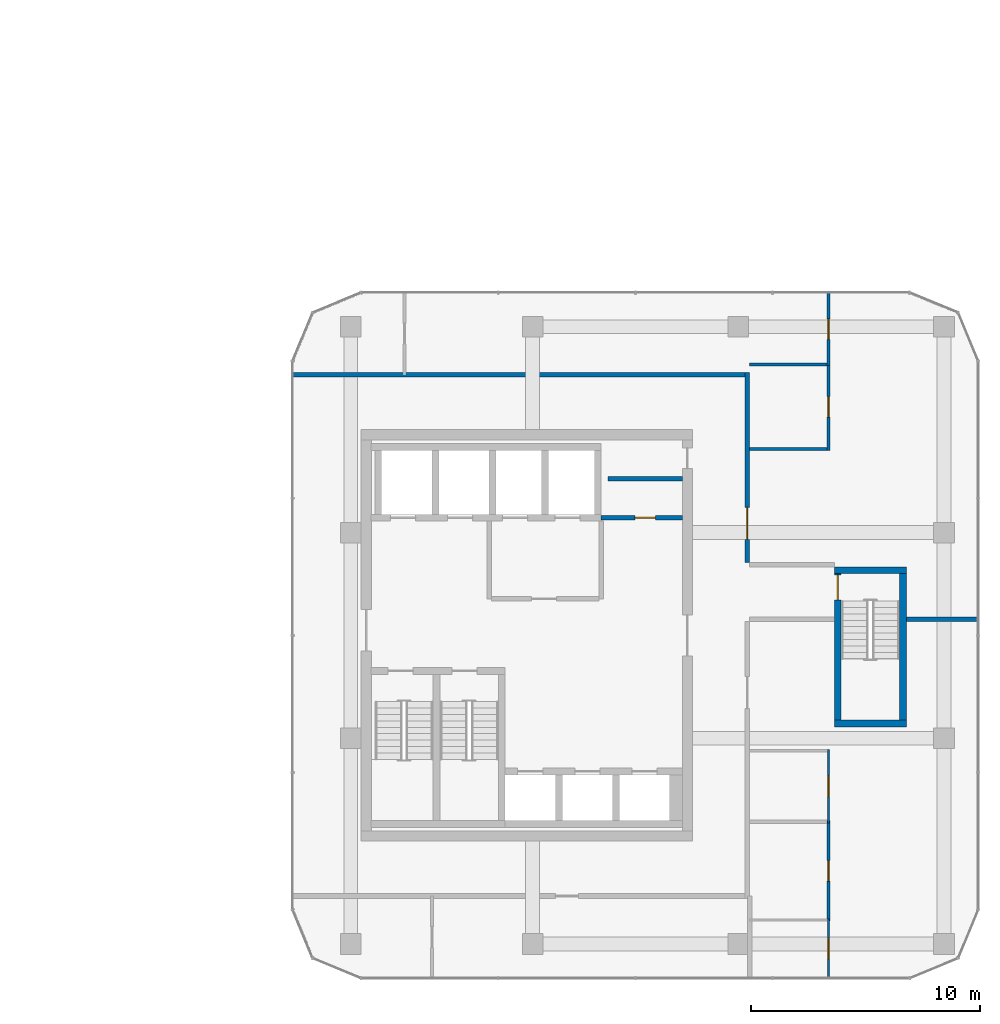
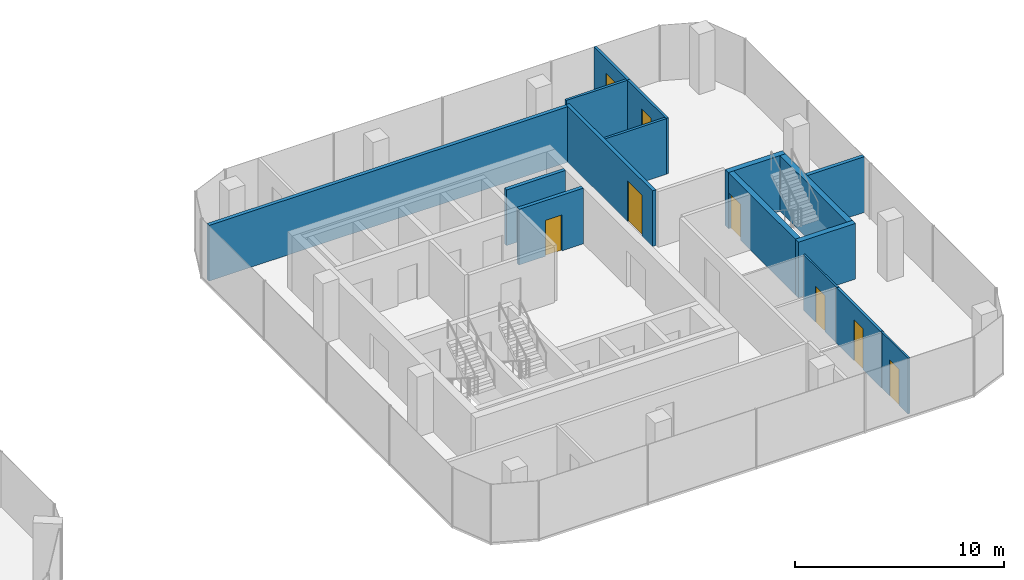
# One storey, part 19 of 23: 16 walls, 8 doors, 8 openings.
"""IFC4 building model written with IfcOpenShell, lengths in metres."""

from ifc_helpers import new_model, si_unit, direction, frame, frame_2d, origin, place, context, subcontext, project, spatial, rectangle, extrude, material, layer, layer_set, type_object, element, fill, save


model = new_model("IFC4")

# Units and contexts
model_context = context("Model", 3, precision=1e-05, world=origin(), true_north=direction((0.0, 1.0)))
body_context = subcontext(model_context, "Body", "Model", "MODEL_VIEW")
ifc_project = project(units=[si_unit("LENGTHUNIT", "METRE"), si_unit("AREAUNIT", "SQUARE_METRE"), si_unit("VOLUMEUNIT", "CUBIC_METRE"), si_unit("PLANEANGLEUNIT", "RADIAN"), si_unit("MASSUNIT", "GRAM", prefix="KILO")], contexts=[model_context])

# Site, building, storey
site_placement = place(None, origin())
site = spatial("IfcSite", under=ifc_project, at=site_placement, CompositionType="ELEMENT")
building_placement = place(site_placement, origin())
building = spatial("IfcBuilding", under=site, at=building_placement, Name="Plateau Cross Towers", CompositionType="ELEMENT")
storey_placement = place(building_placement, frame((0.0, 0.0, 81.800048828125)))
storey = spatial("IfcBuildingStorey", under=building, at=storey_placement, Name="L20", CompositionType="ELEMENT", Elevation=81.800048828125)

# Wall, opening, door
ifc_material_1 = material(Name="Concrete block, plastered both sides", Category="concrete")
ifc_layer_1 = layer(ifc_material_1, 0.199951171875)
ifc_layer_set_1 = layer_set([ifc_layer_1], Name="Concrete block, plastered both sides")
wall_type_1 = type_object("IfcWallType", Name="Core partition 200", PredefinedType="PARTITIONING", material=ifc_layer_set_1)
wall_1_placement = place(storey_placement, frame((85.5, 14.14990234375, 0.0), z_axis=(0.0, 0.0, 1.0), x_axis=(1.0, 0.0, 0.0)))
wall_1 = element("IfcWall", 1, at=wall_1_placement, inside=storey, type_object=wall_type_1, Name="Core partition", PredefinedType="PARTITIONING", context=body_context, shape_type="SweptSolid", body=[
    extrude(rectangle(XDim=3.550048828125, YDim=0.199951171875, at=frame_2d((1.77490234375, 0.0))), origin(), (0.0, 0.0, 1.0), 3.25),
])
opening_1_placement = place(wall_1_placement, frame((1.47509765625, 0.0, 0.0)))
opening_1 = element("IfcOpeningElement", 2, at=opening_1_placement, cuts=wall_1, Name="Opening RD2", PredefinedType="OPENING", context=body_context, shape_type="SweptSolid", body=[
    extrude(rectangle(XDim=0.89990234375, YDim=2.10009765625, at=frame_2d((0.449951171875, 1.050048828125))), frame((0.0, 0.10986328125, 0.0), z_axis=(0.0, -1.0, 0.0), x_axis=(1.0, 0.0, 0.0)), (0.0, 0.0, 1.0), 0.219970703125),
])
ifc_material_2 = material(Name="Steel, fire-resisting leaf", Category="steel")
door_type_1 = type_object("IfcDoorType", Name="Core riser door 900", OperationType="NOTDEFINED", PredefinedType="DOOR", material=ifc_material_2)
door_1_placement = place(opening_1_placement, origin())
door_1 = element("IfcDoor", 3, at=door_1_placement, inside=storey, type_object=door_type_1, Name="Core riser door RD2", OperationType="SINGLE_SWING_LEFT", OverallHeight=2.10009765625, OverallWidth=0.89990234375, PredefinedType="DOOR", context=body_context, shape_type="SweptSolid", body=[
    extrude(rectangle(XDim=0.89990234375, YDim=2.10009765625, at=frame_2d((0.449951171875, 1.050048828125))), frame((0.0, 0.02490234375, 0.0), z_axis=(0.0, -1.0, 0.0), x_axis=(1.0, 0.0, 0.0)), (0.0, 0.0, 1.0), 0.050048828125),
])
fill(opening_1, door_1)

# Wall
wall_2_placement = place(storey_placement, frame((85.800048828125, 15.85009765625, 0.0), z_axis=(0.0, 0.0, 1.0), x_axis=(1.0, 0.0, 0.0)))
element("IfcWall", 4, at=wall_2_placement, inside=storey, type_object=wall_type_1, Name="Core partition", PredefinedType="PARTITIONING", context=body_context, shape_type="SweptSolid", body=[
    extrude(rectangle(XDim=3.25, YDim=0.199951171875, at=frame_2d((1.625, 0.0))), origin(), (0.0, 0.0, 1.0), 3.25),
])

# Wall, opening, door
ifc_material_3 = material(Name="Concrete C60/75", Category="concrete")
ifc_layer_2 = layer(ifc_material_3, 0.300048828125)
ifc_layer_set_2 = layer_set([ifc_layer_2], Name="Concrete C60/75")
wall_type_2 = type_object("IfcWallType", Name="Core shaft wall 300", PredefinedType="SHEAR", material=ifc_layer_set_2)
wall_3_placement = place(storey_placement, frame((95.85009765625, 5.300048828125, 0.0), z_axis=(0.0, 0.0, 1.0), x_axis=(0.0, 1.0, 0.0)))
wall_3 = element("IfcWall", 5, at=wall_3_placement, inside=storey, type_object=wall_type_2, Name="B-sb3-W@L20", PredefinedType="SHEAR", context=body_context, shape_type="SweptSolid", body=[
    extrude(rectangle(XDim=6.39990234375, YDim=0.300048828125, at=frame_2d((3.199951171875, 0.0))), origin(), (0.0, 0.0, 1.0), 3.25),
])
opening_2_placement = place(wall_3_placement, frame((5.25, 0.0, 0.0)))
opening_2 = element("IfcOpeningElement", 6, at=opening_2_placement, cuts=wall_3, Name="Opening SD", PredefinedType="OPENING", context=body_context, shape_type="SweptSolid", body=[
    extrude(rectangle(XDim=1.10009765625, YDim=2.10009765625, at=frame_2d((0.550048828125, 1.050048828125))), frame((0.0, 0.159912109375, 0.0), z_axis=(0.0, -1.0, 0.0), x_axis=(1.0, 0.0, 0.0)), (0.0, 0.0, 1.0), 0.320068359375),
])
door_type_2 = type_object("IfcDoorType", Name="Stair door 1100", OperationType="NOTDEFINED", PredefinedType="DOOR", material=ifc_material_2)
door_2_placement = place(opening_2_placement, origin())
door_2 = element("IfcDoor", 7, at=door_2_placement, inside=storey, type_object=door_type_2, Name="Stair door SD", OperationType="SINGLE_SWING_LEFT", OverallHeight=2.10009765625, OverallWidth=1.10009765625, PredefinedType="DOOR", context=body_context, shape_type="SweptSolid", body=[
    extrude(rectangle(XDim=1.10009765625, YDim=2.10009765625, at=frame_2d((0.550048828125, 1.050048828125))), frame((0.0, 0.02490234375, 0.0), z_axis=(0.0, -1.0, 0.0), x_axis=(1.0, 0.0, 0.0)), (0.0, 0.0, 1.0), 0.050048828125),
])
fill(opening_2, door_2)

# Walls
wall_4_placement = place(storey_placement, frame((98.699951171875, 5.300048828125, 0.0), z_axis=(0.0, 0.0, 1.0), x_axis=(0.0, 1.0, 0.0)))
element("IfcWall", 8, at=wall_4_placement, inside=storey, type_object=wall_type_2, Name="B-sb3-E@L20", PredefinedType="SHEAR", context=body_context, shape_type="SweptSolid", body=[
    extrude(rectangle(XDim=6.39990234375, YDim=0.300048828125, at=frame_2d((3.199951171875, 0.0))), origin(), (0.0, 0.0, 1.0), 3.25),
])
for number, where, z_axis, x_axis, name in (
    (9, (95.699951171875, 5.14990234375, 0.0), (0.0, 0.0, 1.0), (1.0, 0.0, 0.0), "B-sb3-S@L20"),
    (10, (95.699951171875, 11.85009765625, 0.0), (0.0, 0.0, 1.0), (1.0, 0.0, 0.0), "B-sb3-N@L20"),
):
    element("IfcWall", number, at=place(storey_placement, frame(where, z_axis=z_axis, x_axis=x_axis)), inside=storey, type_object=wall_type_2, Name=name, PredefinedType="SHEAR", context=body_context, shape_type="SweptSolid", body=[
        extrude(rectangle(XDim=3.150146484375, YDim=0.300048828125, at=frame_2d((1.5751953125, 0.0))), origin(), (0.0, 0.0, 1.0), 3.25),
    ])
ifc_material_4 = material(Name="Gypsum board on steel studs, two layers each side", Category="steel")
ifc_layer_3 = layer(ifc_material_4, 0.199951171875)
ifc_layer_set_3 = layer_set([ifc_layer_3], Name="Gypsum board on steel studs, two layers each side")
wall_type_3 = type_object("IfcWallType", Name="Corridor wall 200", PredefinedType="PARTITIONING", material=ifc_layer_set_3)
wall_5_placement = place(storey_placement, frame((72.0, 20.39990234375, 0.0), z_axis=(0.0, 0.0, 1.0), x_axis=(1.0, 0.0, 0.0)))
element("IfcWall", 11, at=wall_5_placement, inside=storey, type_object=wall_type_3, Name="Ring wall", PredefinedType="PARTITIONING", context=body_context, shape_type="SweptSolid", body=[
    extrude(rectangle(XDim=20.0, YDim=0.199951171875, at=frame_2d((10.0, 0.0))), origin(), (0.0, 0.0, 1.0), 3.25),
])

# Wall, opening, door
wall_6_placement = place(storey_placement, frame((91.89990234375, 12.199951171875, 0.0), z_axis=(0.0, 0.0, 1.0), x_axis=(0.0, 1.0, 0.0)))
wall_6 = element("IfcWall", 12, at=wall_6_placement, inside=storey, type_object=wall_type_3, Name="Ring wall", PredefinedType="PARTITIONING", context=body_context, shape_type="SweptSolid", body=[
    extrude(rectangle(XDim=8.300048828125, YDim=0.199951171875, at=frame_2d((4.14990234375, 0.0))), origin(), (0.0, 0.0, 1.0), 3.25),
])
opening_3_placement = place(wall_6_placement, frame((1.0, 0.0, 0.0)))
opening_3 = element("IfcOpeningElement", 13, at=opening_3_placement, cuts=wall_6, Name="Opening D-BE14", PredefinedType="OPENING", context=body_context, shape_type="SweptSolid", body=[
    extrude(rectangle(XDim=1.39990234375, YDim=2.39990234375, at=frame_2d((0.699951171875, 1.199951171875))), frame((0.0, 0.10986328125, 0.0), z_axis=(0.0, -1.0, 0.0), x_axis=(1.0, 0.0, 0.0)), (0.0, 0.0, 1.0), 0.219970703125),
])
ifc_material_5 = material(Name="Timber, fire-resisting leaves", Category="wood")
door_type_3 = type_object("IfcDoorType", Name="Tenant entrance double-leaf 1400x2400", OperationType="NOTDEFINED", PredefinedType="DOOR", material=ifc_material_5)
door_3_placement = place(opening_3_placement, origin())
door_3 = element("IfcDoor", 14, at=door_3_placement, inside=storey, type_object=door_type_3, Name="Door D-BE14", OperationType="DOUBLE_DOOR_SINGLE_SWING", OverallHeight=2.39990234375, OverallWidth=1.39990234375, PredefinedType="DOOR", context=body_context, shape_type="SweptSolid", body=[
    extrude(rectangle(XDim=1.39990234375, YDim=2.39990234375, at=frame_2d((0.699951171875, 1.199951171875))), frame((0.0, 0.02490234375, 0.0), z_axis=(0.0, -1.0, 0.0), x_axis=(1.0, 0.0, 0.0)), (0.0, 0.0, 1.0), 0.050048828125),
])
fill(opening_3, door_3)

ifc_material_6 = material(Name="Gypsum board on staggered steel studs, mineral wool, two layers each side", Category="steel")
ifc_layer_4 = layer(ifc_material_6, 0.139892578125)
ifc_layer_set_4 = layer_set([ifc_layer_4], Name="Gypsum board on staggered steel studs, mineral wool, two layers each side")
wall_type_4 = type_object("IfcWallType", Name="Meeting room acoustic partition 140", PredefinedType="PARTITIONING", material=ifc_layer_set_4)
wall_7_placement = place(storey_placement, frame((95.449951171875, -3.5, 0.0), z_axis=(0.0, 0.0, 1.0), x_axis=(0.0, 1.0, 0.0)))
wall_7 = element("IfcWall", 15, at=wall_7_placement, inside=storey, type_object=wall_type_4, Name="Acoustic wall", PredefinedType="PARTITIONING", context=body_context, shape_type="SweptSolid", body=[
    extrude(rectangle(XDim=4.39990234375, YDim=0.139892578125, at=frame_2d((2.199951171875, 0.0))), origin(), (0.0, 0.0, 1.0), 3.25),
])
opening_4_placement = place(wall_7_placement, frame((1.75, 0.0, 0.0)))
opening_4 = element("IfcOpeningElement", 16, at=opening_4_placement, cuts=wall_7, Name="Opening D-BM9", PredefinedType="OPENING", context=body_context, shape_type="SweptSolid", body=[
    extrude(rectangle(XDim=0.89990234375, YDim=2.39990234375, at=frame_2d((0.449951171875, 1.199951171875))), frame((0.0, 0.079833984375, 0.0), z_axis=(0.0, -1.0, 0.0), x_axis=(1.0, 0.0, 0.0)), (0.0, 0.0, 1.0), 0.159912109375),
])
ifc_material_7 = material(Name="Timber leaf, full height", Category="wood")
door_type_4 = type_object("IfcDoorType", Name="Meeting room door 900x2400", OperationType="NOTDEFINED", PredefinedType="DOOR", material=ifc_material_7)
door_4_placement = place(opening_4_placement, origin())
door_4 = element("IfcDoor", 17, at=door_4_placement, inside=storey, type_object=door_type_4, Name="Door D-BM9", OperationType="SINGLE_SWING_LEFT", OverallHeight=2.39990234375, OverallWidth=0.89990234375, PredefinedType="DOOR", context=body_context, shape_type="SweptSolid", body=[
    extrude(rectangle(XDim=0.89990234375, YDim=2.39990234375, at=frame_2d((0.449951171875, 1.199951171875))), frame((0.0, 0.02490234375, 0.0), z_axis=(0.0, -1.0, 0.0), x_axis=(1.0, 0.0, 0.0)), (0.0, 0.0, 1.0), 0.050048828125),
])
fill(opening_4, door_4)

wall_8_placement = place(storey_placement, frame((95.449951171875, 20.800048828125, 0.0), z_axis=(0.0, 0.0, 1.0), x_axis=(0.0, 1.0, 0.0)))
wall_8 = element("IfcWall", 18, at=wall_8_placement, inside=storey, type_object=wall_type_4, Name="Acoustic wall", PredefinedType="PARTITIONING", context=body_context, shape_type="SweptSolid", body=[
    extrude(rectangle(XDim=3.199951171875, YDim=0.139892578125, at=frame_2d((1.60009765625, 0.0))), origin(), (0.0, 0.0, 1.0), 3.25),
])
opening_5_placement = place(wall_8_placement, frame((1.14990234375, 0.0, 0.0)))
opening_5 = element("IfcOpeningElement", 19, at=opening_5_placement, cuts=wall_8, Name="Opening D-BM9", PredefinedType="OPENING", context=body_context, shape_type="SweptSolid", body=[
    extrude(rectangle(XDim=0.89990234375, YDim=2.39990234375, at=frame_2d((0.449951171875, 1.199951171875))), frame((0.0, 0.079833984375, 0.0), z_axis=(0.0, -1.0, 0.0), x_axis=(1.0, 0.0, 0.0)), (0.0, 0.0, 1.0), 0.159912109375),
])
door_5_placement = place(opening_5_placement, origin())
door_5 = element("IfcDoor", 20, at=door_5_placement, inside=storey, type_object=door_type_4, Name="Door D-BM9", OperationType="SINGLE_SWING_LEFT", OverallHeight=2.39990234375, OverallWidth=0.89990234375, PredefinedType="DOOR", context=body_context, shape_type="SweptSolid", body=[
    extrude(rectangle(XDim=0.89990234375, YDim=2.39990234375, at=frame_2d((0.449951171875, 1.199951171875))), frame((0.0, 0.02490234375, 0.0), z_axis=(0.0, -1.0, 0.0), x_axis=(1.0, 0.0, 0.0)), (0.0, 0.0, 1.0), 0.050048828125),
])
fill(opening_5, door_5)

# Wall
wall_9_placement = place(storey_placement, frame((92.0, 20.85009765625, 0.0), z_axis=(0.0, 0.0, 1.0), x_axis=(1.0, 0.0, 0.0)))
element("IfcWall", 21, at=wall_9_placement, inside=storey, type_object=wall_type_4, Name="Acoustic wall", PredefinedType="PARTITIONING", context=body_context, shape_type="SweptSolid", body=[
    extrude(rectangle(XDim=3.3798828125, YDim=0.139892578125, at=frame_2d((1.68994140625, 0.0))), origin(), (0.0, 0.0, 1.0), 3.25),
])

# Wall, opening, door
wall_10_placement = place(storey_placement, frame((95.449951171875, 17.10009765625, 0.0), z_axis=(0.0, 0.0, 1.0), x_axis=(0.0, 1.0, 0.0)))
wall_10 = element("IfcWall", 22, at=wall_10_placement, inside=storey, type_object=wall_type_4, Name="Acoustic wall", PredefinedType="PARTITIONING", context=body_context, shape_type="SweptSolid", body=[
    extrude(rectangle(XDim=3.7998046875, YDim=0.139892578125, at=frame_2d((1.89990234375, 0.0))), origin(), (0.0, 0.0, 1.0), 3.25),
])
opening_6_placement = place(wall_10_placement, frame((1.449951171875, 0.0, 0.0)))
opening_6 = element("IfcOpeningElement", 23, at=opening_6_placement, cuts=wall_10, Name="Opening D-BM9", PredefinedType="OPENING", context=body_context, shape_type="SweptSolid", body=[
    extrude(rectangle(XDim=0.89990234375, YDim=2.39990234375, at=frame_2d((0.449951171875, 1.199951171875))), frame((0.0, 0.079833984375, 0.0), z_axis=(0.0, -1.0, 0.0), x_axis=(1.0, 0.0, 0.0)), (0.0, 0.0, 1.0), 0.159912109375),
])
door_6_placement = place(opening_6_placement, origin())
door_6 = element("IfcDoor", 24, at=door_6_placement, inside=storey, type_object=door_type_4, Name="Door D-BM9", OperationType="SINGLE_SWING_LEFT", OverallHeight=2.39990234375, OverallWidth=0.89990234375, PredefinedType="DOOR", context=body_context, shape_type="SweptSolid", body=[
    extrude(rectangle(XDim=0.89990234375, YDim=2.39990234375, at=frame_2d((0.449951171875, 1.199951171875))), frame((0.0, 0.02490234375, 0.0), z_axis=(0.0, -1.0, 0.0), x_axis=(1.0, 0.0, 0.0)), (0.0, 0.0, 1.0), 0.050048828125),
])
fill(opening_6, door_6)

# Wall
wall_11_placement = place(storey_placement, frame((92.0, 17.14990234375, 0.0), z_axis=(0.0, 0.0, 1.0), x_axis=(1.0, 0.0, 0.0)))
element("IfcWall", 25, at=wall_11_placement, inside=storey, type_object=wall_type_4, Name="Acoustic wall", PredefinedType="PARTITIONING", context=body_context, shape_type="SweptSolid", body=[
    extrude(rectangle(XDim=3.3798828125, YDim=0.139892578125, at=frame_2d((1.68994140625, 0.0))), origin(), (0.0, 0.0, 1.0), 3.25),
])

# Wall, opening, door
ifc_material_8 = material(Name="Gypsum board on steel studs", Category="steel")
ifc_layer_5 = layer(ifc_material_8, 0.10009765625)
ifc_layer_set_5 = layer_set([ifc_layer_5], Name="Gypsum board on steel studs")
wall_type_5 = type_object("IfcWallType", Name="Office partition 100", PredefinedType="PARTITIONING", material=ifc_layer_set_5)
wall_12_placement = place(storey_placement, frame((95.449951171875, -6.0, 0.0), z_axis=(0.0, 0.0, 1.0), x_axis=(0.0, 1.0, 0.0)))
wall_12 = element("IfcWall", 26, at=wall_12_placement, inside=storey, type_object=wall_type_5, Name="Part wall", PredefinedType="PARTITIONING", context=body_context, shape_type="SweptSolid", body=[
    extrude(rectangle(XDim=2.60009765625, YDim=0.10009765625, at=frame_2d((1.300048828125, 0.0))), origin(), (0.0, 0.0, 1.0), 3.25),
])
opening_7_placement = place(wall_12_placement, frame((0.85009765625, 0.0, 0.0)))
opening_7 = element("IfcOpeningElement", 27, at=opening_7_placement, cuts=wall_12, Name="Opening D-BR9", PredefinedType="OPENING", context=body_context, shape_type="SweptSolid", body=[
    extrude(rectangle(XDim=0.89990234375, YDim=2.10009765625, at=frame_2d((0.449951171875, 1.050048828125))), frame((0.0, 0.06005859375, 0.0), z_axis=(0.0, -1.0, 0.0), x_axis=(1.0, 0.0, 0.0)), (0.0, 0.0, 1.0), 0.1201171875),
])
ifc_material_9 = material(Name="Timber leaf", Category="wood")
door_type_5 = type_object("IfcDoorType", Name="Office room door 900", OperationType="NOTDEFINED", PredefinedType="DOOR", material=ifc_material_9)
door_7_placement = place(opening_7_placement, origin())
door_7 = element("IfcDoor", 28, at=door_7_placement, inside=storey, type_object=door_type_5, Name="Door D-BR9", OperationType="SINGLE_SWING_LEFT", OverallHeight=2.10009765625, OverallWidth=0.89990234375, PredefinedType="DOOR", context=body_context, shape_type="SweptSolid", body=[
    extrude(rectangle(XDim=0.89990234375, YDim=2.10009765625, at=frame_2d((0.449951171875, 1.050048828125))), frame((0.0, 0.02490234375, 0.0), z_axis=(0.0, -1.0, 0.0), x_axis=(1.0, 0.0, 0.0)), (0.0, 0.0, 1.0), 0.050048828125),
])
fill(opening_7, door_7)

wall_13_placement = place(storey_placement, frame((95.449951171875, 0.800048828125, 0.0), z_axis=(0.0, 0.0, 1.0), x_axis=(0.0, 1.0, 0.0)))
wall_13 = element("IfcWall", 29, at=wall_13_placement, inside=storey, type_object=wall_type_5, Name="Part wall", PredefinedType="PARTITIONING", context=body_context, shape_type="SweptSolid", body=[
    extrude(rectangle(XDim=3.199951171875, YDim=0.10009765625, at=frame_2d((1.60009765625, 0.0))), origin(), (0.0, 0.0, 1.0), 3.25),
])
opening_8_placement = place(wall_13_placement, frame((1.14990234375, 0.0, 0.0)))
opening_8 = element("IfcOpeningElement", 30, at=opening_8_placement, cuts=wall_13, Name="Opening D-BR9", PredefinedType="OPENING", context=body_context, shape_type="SweptSolid", body=[
    extrude(rectangle(XDim=0.89990234375, YDim=2.10009765625, at=frame_2d((0.449951171875, 1.050048828125))), frame((0.0, 0.06005859375, 0.0), z_axis=(0.0, -1.0, 0.0), x_axis=(1.0, 0.0, 0.0)), (0.0, 0.0, 1.0), 0.1201171875),
])
door_8_placement = place(opening_8_placement, origin())
door_8 = element("IfcDoor", 31, at=door_8_placement, inside=storey, type_object=door_type_5, Name="Door D-BR9", OperationType="SINGLE_SWING_LEFT", OverallHeight=2.10009765625, OverallWidth=0.89990234375, PredefinedType="DOOR", context=body_context, shape_type="SweptSolid", body=[
    extrude(rectangle(XDim=0.89990234375, YDim=2.10009765625, at=frame_2d((0.449951171875, 1.050048828125))), frame((0.0, 0.02490234375, 0.0), z_axis=(0.0, -1.0, 0.0), x_axis=(1.0, 0.0, 0.0)), (0.0, 0.0, 1.0), 0.050048828125),
])
fill(opening_8, door_8)

# Wall
ifc_layer_6 = layer(ifc_material_4, 0.199951171875)
ifc_layer_set_6 = layer_set([ifc_layer_6], Name="Gypsum board on steel studs, two layers each side")
wall_type_6 = type_object("IfcWallType", Name="Tenancy demising wall 200", PredefinedType="PARTITIONING", material=ifc_layer_set_6)
wall_14_placement = place(storey_placement, frame((98.85009765625, 9.699951171875, 0.0), z_axis=(0.0, 0.0, 1.0), x_axis=(1.0, 0.0, 0.0)))
element("IfcWall", 32, at=wall_14_placement, inside=storey, type_object=wall_type_6, Name="Demising wall", PredefinedType="PARTITIONING", context=body_context, shape_type="SweptSolid", body=[
    extrude(rectangle(XDim=3.14990234375, YDim=0.199951171875, at=frame_2d((1.574951171875, 0.0))), origin(), (0.0, 0.0, 1.0), 3.25),
])

save(model, "model.ifc")
